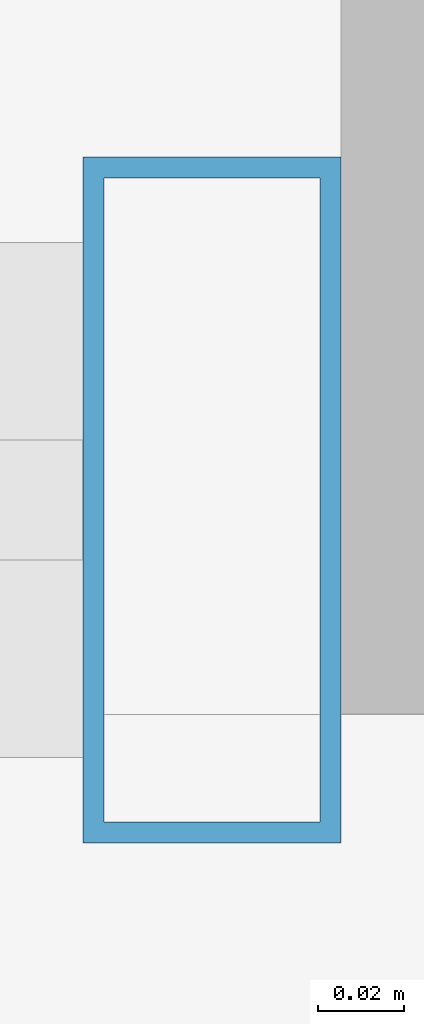
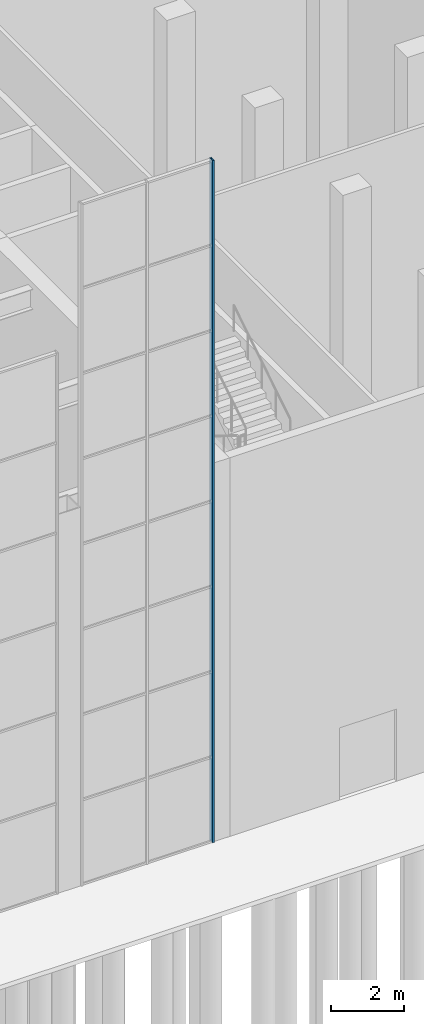
# One storey, part 35 of 58: 1 member, 1 element without a shape of its own.
"""IFC4 building model written with IfcOpenShell, lengths in metres."""

from ifc_helpers import new_model, si_unit, direction, frame, origin, origin_2d, place, context, subcontext, project, spatial, hollow_rectangle, extrude, material, layer, layer_set, material_profile, profile_set, type_object, element, aggregate, save


model = new_model("IFC4")

# Units and contexts
model_context = context("Model", 3, precision=1e-05, world=origin(), true_north=direction((0.0, 1.0)))
body_context = subcontext(model_context, "Body", "Model", "MODEL_VIEW")
ifc_project = project(units=[si_unit("LENGTHUNIT", "METRE"), si_unit("AREAUNIT", "SQUARE_METRE"), si_unit("VOLUMEUNIT", "CUBIC_METRE"), si_unit("PLANEANGLEUNIT", "RADIAN"), si_unit("MASSUNIT", "GRAM", prefix="KILO")], contexts=[model_context])

# Site, building, storey
site_placement = place(None, origin())
site = spatial("IfcSite", under=ifc_project, at=site_placement, CompositionType="ELEMENT")
building_placement = place(site_placement, origin())
building = spatial("IfcBuilding", under=site, at=building_placement, Name="Baori Bourse Tower", CompositionType="ELEMENT")
storey_placement = place(building_placement, origin())
storey = spatial("IfcBuildingStorey", under=building, at=storey_placement, Name="L00", CompositionType="ELEMENT", Elevation=0.0)

# Curtain wall, member
ifc_material_1 = material(Name="Pale anodised aluminium", Category="aluminium")
ifc_layer = layer(ifc_material_1, 0.10009765625)
ifc_layer_set = layer_set([ifc_layer], Name="Wing curtain wall")
curtain_wall_type = type_object("IfcCurtainWallType", Name="Wing curtain wall", PredefinedType="NOTDEFINED", material=ifc_layer_set)
curtain_wall_placement = place(storey_placement, origin())
curtain_wall = element("IfcCurtainWall", 1, at=curtain_wall_placement, inside=storey, type_object=curtain_wall_type, Name="wing/L00/hallcw/008", PredefinedType="NOTDEFINED")
ifc_material_2 = material(Name="Pale anodised aluminium", Category="aluminium")
ifc_material_profile = material_profile(ifc_material_2, hollow_rectangle(XDim=0.159912109375, YDim=0.06005859375, WallThickness=0.0048828125, at=origin_2d()), Name="Mullion 160x60x5")
ifc_profile_set = profile_set([ifc_material_profile], Name="Pale anodised aluminium")
member_type = type_object("IfcMemberType", Name="Wing mullion 60x160", PredefinedType="MULLION", material=ifc_profile_set)
member_placement = place(storey_placement, frame((57.320068359375, -25.14990234375, 0.0), z_axis=(0.0, 0.0, 1.0), x_axis=(0.0, 1.0, 0.0)))
member = element("IfcMember", 2, at=member_placement, type_object=member_type, Name="X12 mullion 3", PredefinedType="MULLION", context=body_context, shape_type="SweptSolid", body=[
    extrude(hollow_rectangle(XDim=0.159912109375, YDim=0.06005859375, WallThickness=0.0048828125, at=origin_2d()), origin(), (0.0, 0.0, 1.0), 22.699951171875),
])
aggregate(curtain_wall, [member])

save(model, "model.ifc")
